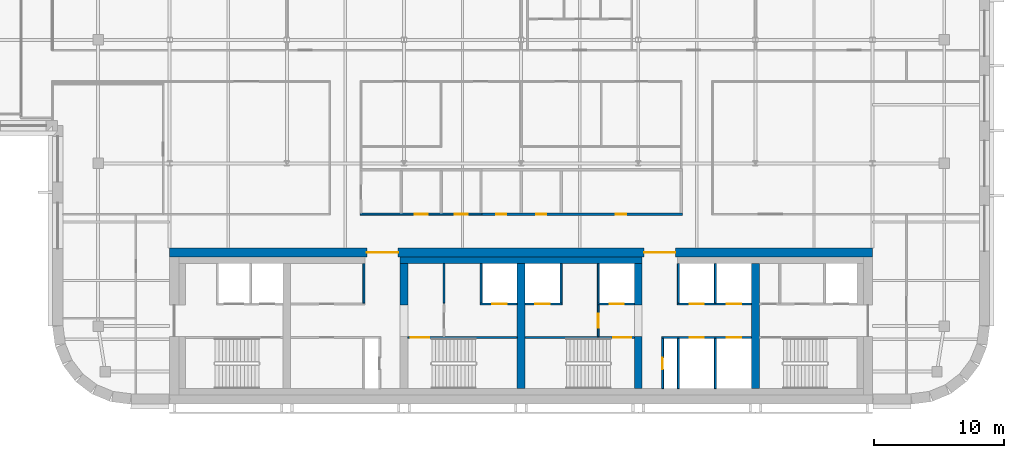
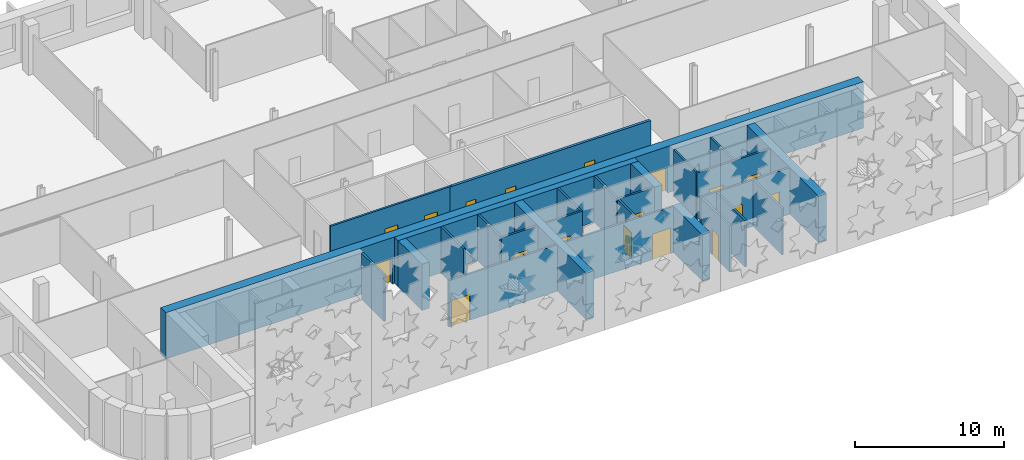
# One storey, part 8 of 17: 27 walls, 18 doors, 18 openings.
"""IFC4 building model written with IfcOpenShell, lengths in metres."""

from ifc_helpers import new_model, si_unit, direction, frame, frame_2d, origin, place, context, subcontext, project, spatial, rectangle, extrude, material, layer, layer_set, type_object, element, fill, save


model = new_model("IFC4")

# Units and contexts
model_context = context("Model", 3, precision=1e-05, world=origin(), true_north=direction((0.0, 1.0)))
body_context = subcontext(model_context, "Body", "Model", "MODEL_VIEW")
ifc_project = project(units=[si_unit("LENGTHUNIT", "METRE"), si_unit("AREAUNIT", "SQUARE_METRE"), si_unit("VOLUMEUNIT", "CUBIC_METRE"), si_unit("PLANEANGLEUNIT", "RADIAN"), si_unit("MASSUNIT", "GRAM", prefix="KILO")], contexts=[model_context])

# Site, building, storey
site_placement = place(None, origin())
site = spatial("IfcSite", under=ifc_project, at=site_placement, CompositionType="ELEMENT")
building_placement = place(site_placement, origin())
building = spatial("IfcBuilding", under=site, at=building_placement, Name="Zellij Exchange Tower", CompositionType="ELEMENT")
storey_placement = place(building_placement, frame((0.0, 0.0, 252.5)))
storey = spatial("IfcBuildingStorey", under=building, at=storey_placement, Name="L59", CompositionType="ELEMENT", Elevation=252.5)

# Walls
ifc_material_1 = material(Name="Concrete C50/60", Category="concrete")
ifc_layer_1 = layer(ifc_material_1, 0.60009765625)
ifc_layer_set_1 = layer_set([ifc_layer_1], Name="Concrete C50/60")
wall_type_1 = type_object("IfcWallType", Name="CORE-CW 600 C50/60", PredefinedType="SHEAR", material=ifc_layer_set_1)
wall_1_placement = place(storey_placement, frame((-9.0, -6.375, 0.0), z_axis=(0.0, 0.0, 1.0), x_axis=(0.0, 1.0, 0.0)))
element("IfcWall", 1, at=wall_1_placement, inside=storey, type_object=wall_type_1, Name="Core cross wall pier x -9 b L59", PredefinedType="SHEAR", context=body_context, shape_type="SweptSolid", body=[
    extrude(rectangle(XDim=3.175048828125, YDim=0.60009765625, at=frame_2d((1.58740234375, 0.0))), origin(), (0.0, 0.0, 1.0), 3.800048828125),
])
wall_2_placement = place(storey_placement, frame((0.0, -12.800048828125, 0.0), z_axis=(0.0, 0.0, 1.0), x_axis=(0.0, 1.0, 0.0)))
element("IfcWall", 2, at=wall_2_placement, inside=storey, type_object=wall_type_1, Name="Core cross wall x 0 L59", PredefinedType="SHEAR", context=body_context, shape_type="SweptSolid", body=[
    extrude(rectangle(XDim=9.60009765625, YDim=0.60009765625, at=frame_2d((4.800048828125, 0.0))), origin(), (0.0, 0.0, 1.0), 3.800048828125),
])
wall_3_placement = place(storey_placement, frame((9.0, -12.800048828125, 0.0), z_axis=(0.0, 0.0, 1.0), x_axis=(0.0, 1.0, 0.0)))
element("IfcWall", 3, at=wall_3_placement, inside=storey, type_object=wall_type_1, Name="Core cross wall pier x 9 a L59", PredefinedType="SHEAR", context=body_context, shape_type="SweptSolid", body=[
    extrude(rectangle(XDim=4.0, YDim=0.60009765625, at=frame_2d((2.0, 0.0))), origin(), (0.0, 0.0, 1.0), 3.800048828125),
])
wall_4_placement = place(storey_placement, frame((9.0, -6.375, 0.0), z_axis=(0.0, 0.0, 1.0), x_axis=(0.0, 1.0, 0.0)))
element("IfcWall", 4, at=wall_4_placement, inside=storey, type_object=wall_type_1, Name="Core cross wall pier x 9 b L59", PredefinedType="SHEAR", context=body_context, shape_type="SweptSolid", body=[
    extrude(rectangle(XDim=3.175048828125, YDim=0.60009765625, at=frame_2d((1.58740234375, 0.0))), origin(), (0.0, 0.0, 1.0), 3.800048828125),
])
wall_5_placement = place(storey_placement, frame((18.0, -12.800048828125, 0.0), z_axis=(0.0, 0.0, 1.0), x_axis=(0.0, 1.0, 0.0)))
element("IfcWall", 5, at=wall_5_placement, inside=storey, type_object=wall_type_1, Name="Core cross wall x 18 L59", PredefinedType="SHEAR", context=body_context, shape_type="SweptSolid", body=[
    extrude(rectangle(XDim=9.60009765625, YDim=0.60009765625, at=frame_2d((4.800048828125, 0.0))), origin(), (0.0, 0.0, 1.0), 3.800048828125),
])
ifc_material_2 = material(Name="Concrete C30/37", Category="concrete")
ifc_layer_2 = layer(ifc_material_2, 0.5)
ifc_layer_set_2 = layer_set([ifc_layer_2], Name="Concrete C30/37")
wall_type_2 = type_object("IfcWallType", Name="CORE-LW 500 C30/37", PredefinedType="SHEAR", material=ifc_layer_set_2)
wall_6_placement = place(storey_placement, frame((-9.300048828125, -2.949951171875, 0.0), z_axis=(0.0, 0.0, 1.0), x_axis=(1.0, 0.0, 0.0)))
element("IfcWall", 6, at=wall_6_placement, inside=storey, type_object=wall_type_2, Name="Core wall lining front.1 L59", PredefinedType="SHEAR", context=body_context, shape_type="SweptSolid", body=[
    extrude(rectangle(XDim=18.60009765625, YDim=0.5, at=frame_2d((9.300048828125, 0.0))), origin(), (0.0, 0.0, 1.0), 3.800048828125),
])

# Wall, opening, door
ifc_material_3 = material(Name="Gypsum shaft wall system")
ifc_layer_3 = layer(ifc_material_3, 0.14990234375)
ifc_layer_set_3 = layer_set([ifc_layer_3], Name="Gypsum shaft wall system")
wall_type_3 = type_object("IfcWallType", Name="CORE-PW 150 Firefighting lobby wall", PredefinedType="PARTITIONING", material=ifc_layer_set_3)
wall_7_placement = place(storey_placement, frame((5.925048828125, -8.800048828125, 0.0), z_axis=(0.0, 0.0, 1.0), x_axis=(0.0, 1.0, 0.0)))
wall_7 = element("IfcWall", 7, at=wall_7_placement, inside=storey, type_object=wall_type_3, Name="Firefighting lobby wall L59", PredefinedType="PARTITIONING", context=body_context, shape_type="SweptSolid", body=[
    extrude(rectangle(XDim=2.425048828125, YDim=0.14990234375, at=frame_2d((1.21240234375, 0.0))), origin(), (0.0, 0.0, 1.0), 3.800048828125),
])
opening_1_placement = place(wall_7_placement, frame((0.662109375, 0.0, 0.0)))
opening_1 = element("IfcOpeningElement", 8, at=opening_1_placement, cuts=wall_7, Name="Opening CA-30.13", PredefinedType="OPENING", context=body_context, shape_type="SweptSolid", body=[
    extrude(rectangle(XDim=1.10009765625, YDim=2.10009765625, at=frame_2d((0.550048828125, 1.050048828125))), frame((0.0, 0.0869140625, 0.0), z_axis=(0.0, -1.0, 0.0), x_axis=(1.0, 0.0, 0.0)), (0.0, 0.0, 1.0), 0.173828125),
])
ifc_material_4 = material(Name="Hollow metal fire door")
door_type_1 = type_object("IfcDoorType", Name="CORE-D F Firefighting lobby door 1100x2100 1 HR", OperationType="NOTDEFINED", PredefinedType="DOOR", material=ifc_material_4)
door_1_placement = place(opening_1_placement, origin())
door_1 = element("IfcDoor", 9, at=door_1_placement, inside=storey, type_object=door_type_1, Name="Firefighting lobby door CA-30.13", OperationType="SINGLE_SWING_RIGHT", OverallHeight=2.10009765625, OverallWidth=1.10009765625, PredefinedType="DOOR", context=body_context, shape_type="SweptSolid", body=[
    extrude(rectangle(XDim=1.10009765625, YDim=2.10009765625, at=frame_2d((0.550048828125, 1.050048828125))), frame((0.0, 0.02490234375, 0.0), z_axis=(0.0, -1.0, 0.0), x_axis=(1.0, 0.0, 0.0)), (0.0, 0.0, 1.0), 0.050048828125),
])
fill(opening_1, door_1)

# Walls
ifc_material_5 = material(Name="Gypsum board partition")
ifc_layer_4 = layer(ifc_material_5, 0.14990234375)
ifc_layer_set_4 = layer_set([ifc_layer_4], Name="Gypsum board partition")
wall_type_4 = type_object("IfcWallType", Name="CORE-PW 150 Lift lobby wall", PredefinedType="PARTITIONING", material=ifc_layer_set_4)
for number, where, z_axis, x_axis, name in (
    (10, (-12.074951171875, -6.22509765625, 0.0), (0.0, 0.0, 1.0), (0.0, 1.0, 0.0), "Lift lobby wall L59"),
    (11, (-5.925048828125, -6.22509765625, 0.0), (0.0, 0.0, 1.0), (0.0, 1.0, 0.0), "Lift lobby wall L59"),
):
    element("IfcWall", number, at=place(storey_placement, frame(where, z_axis=z_axis, x_axis=x_axis)), inside=storey, type_object=wall_type_4, Name=name, PredefinedType="PARTITIONING", context=body_context, shape_type="SweptSolid", body=[
        extrude(rectangle(XDim=3.025146484375, YDim=0.14990234375, at=frame_2d((1.5126953125, 0.0))), origin(), (0.0, 0.0, 1.0), 3.800048828125),
    ])

# Wall, opening, door
wall_8_placement = place(storey_placement, frame((10.875, -12.800048828125, 0.0), z_axis=(0.0, 0.0, 1.0), x_axis=(0.0, 1.0, 0.0)))
wall_8 = element("IfcWall", 12, at=wall_8_placement, inside=storey, type_object=wall_type_4, Name="Lift lobby wall L59", PredefinedType="PARTITIONING", context=body_context, shape_type="SweptSolid", body=[
    extrude(rectangle(XDim=3.85009765625, YDim=0.14990234375, at=frame_2d((1.925048828125, 0.0))), origin(), (0.0, 0.0, 1.0), 3.800048828125),
])
opening_2_placement = place(wall_8_placement, frame((1.47509765625, 0.0, 0.0)))
opening_2 = element("IfcOpeningElement", 13, at=opening_2_placement, cuts=wall_8, Name="Opening CA-30.17", PredefinedType="OPENING", context=body_context, shape_type="SweptSolid", body=[
    extrude(rectangle(XDim=0.89990234375, YDim=2.10009765625, at=frame_2d((0.449951171875, 1.050048828125))), frame((0.0, 0.0869140625, 0.0), z_axis=(0.0, -1.0, 0.0), x_axis=(1.0, 0.0, 0.0)), (0.0, 0.0, 1.0), 0.173828125),
])
door_type_2 = type_object("IfcDoorType", Name="CORE-D RD Riser door 900x2100 1.5 HR", OperationType="NOTDEFINED", PredefinedType="DOOR", material=ifc_material_4)
door_2_placement = place(opening_2_placement, origin())
door_2 = element("IfcDoor", 14, at=door_2_placement, inside=storey, type_object=door_type_2, Name="Riser door CA-30.17", OperationType="SINGLE_SWING_LEFT", OverallHeight=2.10009765625, OverallWidth=0.89990234375, PredefinedType="DOOR", context=body_context, shape_type="SweptSolid", body=[
    extrude(rectangle(XDim=0.89990234375, YDim=2.10009765625, at=frame_2d((0.449951171875, 1.050048828125))), frame((0.0, 0.02490234375, 0.0), z_axis=(0.0, -1.0, 0.0), x_axis=(1.0, 0.0, 0.0)), (0.0, 0.0, 1.0), 0.050048828125),
])
fill(opening_2, door_2)

# Walls
ifc_layer_5 = layer(ifc_material_3, 0.14990234375)
ifc_layer_set_5 = layer_set([ifc_layer_5], Name="Gypsum shaft wall system")
wall_type_5 = type_object("IfcWallType", Name="CORE-PW 150 Lift shaft wall", PredefinedType="PARTITIONING", material=ifc_layer_set_5)
for number, where, z_axis, x_axis, name in (
    (15, (-3.074951171875, -6.22509765625, 0.0), (0.0, 0.0, 1.0), (0.0, 1.0, 0.0), "Lift shaft wall L59"),
    (16, (3.074951171875, -6.22509765625, 0.0), (0.0, 0.0, 1.0), (0.0, 1.0, 0.0), "Lift shaft wall L59"),
    (17, (5.925048828125, -6.22509765625, 0.0), (0.0, 0.0, 1.0), (0.0, 1.0, 0.0), "Lift shaft wall L59"),
    (18, (12.074951171875, -6.22509765625, 0.0), (0.0, 0.0, 1.0), (0.0, 1.0, 0.0), "Lift shaft wall L59"),
    (19, (14.925048828125, -6.22509765625, 0.0), (0.0, 0.0, 1.0), (0.0, 1.0, 0.0), "Lift shaft wall L59"),
):
    element("IfcWall", number, at=place(storey_placement, frame(where, z_axis=z_axis, x_axis=x_axis)), inside=storey, type_object=wall_type_5, Name=name, PredefinedType="PARTITIONING", context=body_context, shape_type="SweptSolid", body=[
        extrude(rectangle(XDim=3.025146484375, YDim=0.14990234375, at=frame_2d((1.5126953125, 0.0))), origin(), (0.0, 0.0, 1.0), 3.800048828125),
    ])
for number, where, z_axis, x_axis, name in (
    (20, (12.074951171875, -12.800048828125, 0.0), (0.0, 0.0, 1.0), (0.0, 1.0, 0.0), "Lift shaft wall L59"),
    (21, (14.925048828125, -12.800048828125, 0.0), (0.0, 0.0, 1.0), (0.0, 1.0, 0.0), "Lift shaft wall L59"),
):
    element("IfcWall", number, at=place(storey_placement, frame(where, z_axis=z_axis, x_axis=x_axis)), inside=storey, type_object=wall_type_5, Name=name, PredefinedType="PARTITIONING", context=body_context, shape_type="SweptSolid", body=[
        extrude(rectangle(XDim=3.85009765625, YDim=0.14990234375, at=frame_2d((1.925048828125, 0.0))), origin(), (0.0, 0.0, 1.0), 3.800048828125),
    ])

# Wall, opening, door
wall_9_placement = place(storey_placement, frame((-3.14990234375, -6.300048828125, 0.0), z_axis=(0.0, 0.0, 1.0), x_axis=(1.0, 0.0, 0.0)))
wall_9 = element("IfcWall", 22, at=wall_9_placement, inside=storey, type_object=wall_type_5, Name="Lift shaft wall L59", PredefinedType="PARTITIONING", context=body_context, shape_type="SweptSolid", body=[
    extrude(rectangle(XDim=2.849853515625, YDim=0.14990234375, at=frame_2d((1.4248046875, 0.0))), origin(), (0.0, 0.0, 1.0), 3.800048828125),
])
opening_3_placement = place(wall_9_placement, frame((0.949951171875, 0.0, 0.0)))
opening_3 = element("IfcOpeningElement", 23, at=opening_3_placement, cuts=wall_9, Name="Opening CA-30.11", PredefinedType="OPENING", context=body_context, shape_type="SweptSolid", body=[
    extrude(rectangle(XDim=1.10009765625, YDim=2.10009765625, at=frame_2d((0.550048828125, 1.050048828125))), frame((0.0, 0.0869140625, 0.0), z_axis=(0.0, -1.0, 0.0), x_axis=(1.0, 0.0, 0.0)), (0.0, 0.0, 1.0), 0.173828125),
])
door_type_3 = type_object("IfcDoorType", Name="CORE-D LD Lift landing door 1100x2100 1.5 HR", OperationType="NOTDEFINED", PredefinedType="DOOR", material=ifc_material_4)
door_3_placement = place(opening_3_placement, origin())
door_3 = element("IfcDoor", 24, at=door_3_placement, inside=storey, type_object=door_type_3, Name="Lift landing door CA-30.11", OperationType="SLIDING_TO_LEFT", OverallHeight=2.10009765625, OverallWidth=1.10009765625, PredefinedType="DOOR", context=body_context, shape_type="SweptSolid", body=[
    extrude(rectangle(XDim=1.10009765625, YDim=2.10009765625, at=frame_2d((0.550048828125, 1.050048828125))), frame((0.0, 0.02490234375, 0.0), z_axis=(0.0, -1.0, 0.0), x_axis=(1.0, 0.0, 0.0)), (0.0, 0.0, 1.0), 0.050048828125),
])
fill(opening_3, door_3)

wall_10_placement = place(storey_placement, frame((0.300048828125, -6.300048828125, 0.0), z_axis=(0.0, 0.0, 1.0), x_axis=(1.0, 0.0, 0.0)))
wall_10 = element("IfcWall", 25, at=wall_10_placement, inside=storey, type_object=wall_type_5, Name="Lift shaft wall L59", PredefinedType="PARTITIONING", context=body_context, shape_type="SweptSolid", body=[
    extrude(rectangle(XDim=2.849853515625, YDim=0.14990234375, at=frame_2d((1.4248046875, 0.0))), origin(), (0.0, 0.0, 1.0), 3.800048828125),
])
opening_4_placement = place(wall_10_placement, frame((0.800048828125, 0.0, 0.0)))
opening_4 = element("IfcOpeningElement", 26, at=opening_4_placement, cuts=wall_10, Name="Opening CA-30.12", PredefinedType="OPENING", context=body_context, shape_type="SweptSolid", body=[
    extrude(rectangle(XDim=1.10009765625, YDim=2.10009765625, at=frame_2d((0.550048828125, 1.050048828125))), frame((0.0, 0.0869140625, 0.0), z_axis=(0.0, -1.0, 0.0), x_axis=(1.0, 0.0, 0.0)), (0.0, 0.0, 1.0), 0.173828125),
])
door_4_placement = place(opening_4_placement, origin())
door_4 = element("IfcDoor", 27, at=door_4_placement, inside=storey, type_object=door_type_3, Name="Lift landing door CA-30.12", OperationType="SLIDING_TO_RIGHT", OverallHeight=2.10009765625, OverallWidth=1.10009765625, PredefinedType="DOOR", context=body_context, shape_type="SweptSolid", body=[
    extrude(rectangle(XDim=1.10009765625, YDim=2.10009765625, at=frame_2d((0.550048828125, 1.050048828125))), frame((0.0, 0.02490234375, 0.0), z_axis=(0.0, -1.0, 0.0), x_axis=(1.0, 0.0, 0.0)), (0.0, 0.0, 1.0), 0.050048828125),
])
fill(opening_4, door_4)

wall_11_placement = place(storey_placement, frame((5.85009765625, -6.300048828125, 0.0), z_axis=(0.0, 0.0, 1.0), x_axis=(1.0, 0.0, 0.0)))
wall_11 = element("IfcWall", 28, at=wall_11_placement, inside=storey, type_object=wall_type_5, Name="Lift shaft wall L59", PredefinedType="PARTITIONING", context=body_context, shape_type="SweptSolid", body=[
    extrude(rectangle(XDim=2.849853515625, YDim=0.14990234375, at=frame_2d((1.4248046875, 0.0))), origin(), (0.0, 0.0, 1.0), 3.800048828125),
])
opening_5_placement = place(wall_11_placement, frame((0.949951171875, 0.0, 0.0)))
opening_5 = element("IfcOpeningElement", 29, at=opening_5_placement, cuts=wall_11, Name="Opening CA-30.14", PredefinedType="OPENING", context=body_context, shape_type="SweptSolid", body=[
    extrude(rectangle(XDim=1.10009765625, YDim=2.10009765625, at=frame_2d((0.550048828125, 1.050048828125))), frame((0.0, 0.0869140625, 0.0), z_axis=(0.0, -1.0, 0.0), x_axis=(1.0, 0.0, 0.0)), (0.0, 0.0, 1.0), 0.173828125),
])
door_5_placement = place(opening_5_placement, origin())
door_5 = element("IfcDoor", 30, at=door_5_placement, inside=storey, type_object=door_type_3, Name="Lift landing door CA-30.14", OperationType="SLIDING_TO_RIGHT", OverallHeight=2.10009765625, OverallWidth=1.10009765625, PredefinedType="DOOR", context=body_context, shape_type="SweptSolid", body=[
    extrude(rectangle(XDim=1.10009765625, YDim=2.10009765625, at=frame_2d((0.550048828125, 1.050048828125))), frame((0.0, 0.02490234375, 0.0), z_axis=(0.0, -1.0, 0.0), x_axis=(1.0, 0.0, 0.0)), (0.0, 0.0, 1.0), 0.050048828125),
])
fill(opening_5, door_5)

# Wall, openings, doors
wall_12_placement = place(storey_placement, frame((12.0, -6.300048828125, 0.0), z_axis=(0.0, 0.0, 1.0), x_axis=(1.0, 0.0, 0.0)))
wall_12 = element("IfcWall", 31, at=wall_12_placement, inside=storey, type_object=wall_type_5, Name="Lift shaft wall L59", PredefinedType="PARTITIONING", context=body_context, shape_type="SweptSolid", body=[
    extrude(rectangle(XDim=5.699951171875, YDim=0.14990234375, at=frame_2d((2.85009765625, 0.0))), origin(), (0.0, 0.0, 1.0), 3.800048828125),
])
opening_6_placement = place(wall_12_placement, frame((0.949951171875, 0.0, 0.0)))
opening_6 = element("IfcOpeningElement", 32, at=opening_6_placement, cuts=wall_12, Name="Opening CA-30.19", PredefinedType="OPENING", context=body_context, shape_type="SweptSolid", body=[
    extrude(rectangle(XDim=1.10009765625, YDim=2.10009765625, at=frame_2d((0.550048828125, 1.050048828125))), frame((0.0, 0.0869140625, 0.0), z_axis=(0.0, -1.0, 0.0), x_axis=(1.0, 0.0, 0.0)), (0.0, 0.0, 1.0), 0.173828125),
])
opening_7_placement = place(wall_12_placement, frame((3.800048828125, 0.0, 0.0)))
opening_7 = element("IfcOpeningElement", 33, at=opening_7_placement, cuts=wall_12, Name="Opening CA-30.21", PredefinedType="OPENING", context=body_context, shape_type="SweptSolid", body=[
    extrude(rectangle(XDim=1.10009765625, YDim=2.10009765625, at=frame_2d((0.550048828125, 1.050048828125))), frame((0.0, 0.0869140625, 0.0), z_axis=(0.0, -1.0, 0.0), x_axis=(1.0, 0.0, 0.0)), (0.0, 0.0, 1.0), 0.173828125),
])
door_6_placement = place(opening_6_placement, origin())
door_6 = element("IfcDoor", 34, at=door_6_placement, inside=storey, type_object=door_type_3, Name="Lift landing door CA-30.19", OperationType="SLIDING_TO_LEFT", OverallHeight=2.10009765625, OverallWidth=1.10009765625, PredefinedType="DOOR", context=body_context, shape_type="SweptSolid", body=[
    extrude(rectangle(XDim=1.10009765625, YDim=2.10009765625, at=frame_2d((0.550048828125, 1.050048828125))), frame((0.0, 0.02490234375, 0.0), z_axis=(0.0, -1.0, 0.0), x_axis=(1.0, 0.0, 0.0)), (0.0, 0.0, 1.0), 0.050048828125),
])
fill(opening_6, door_6)
door_7_placement = place(opening_7_placement, origin())
door_7 = element("IfcDoor", 35, at=door_7_placement, inside=storey, type_object=door_type_3, Name="Lift landing door CA-30.21", OperationType="SLIDING_TO_LEFT", OverallHeight=2.10009765625, OverallWidth=1.10009765625, PredefinedType="DOOR", context=body_context, shape_type="SweptSolid", body=[
    extrude(rectangle(XDim=1.10009765625, YDim=2.10009765625, at=frame_2d((0.550048828125, 1.050048828125))), frame((0.0, 0.02490234375, 0.0), z_axis=(0.0, -1.0, 0.0), x_axis=(1.0, 0.0, 0.0)), (0.0, 0.0, 1.0), 0.050048828125),
])
fill(opening_7, door_7)

wall_13_placement = place(storey_placement, frame((10.800048828125, -8.875, 0.0), z_axis=(0.0, 0.0, 1.0), x_axis=(1.0, 0.0, 0.0)))
wall_13 = element("IfcWall", 36, at=wall_13_placement, inside=storey, type_object=wall_type_5, Name="Lift shaft wall L59", PredefinedType="PARTITIONING", context=body_context, shape_type="SweptSolid", body=[
    extrude(rectangle(XDim=6.89990234375, YDim=0.14990234375, at=frame_2d((3.449951171875, 0.0))), origin(), (0.0, 0.0, 1.0), 3.800048828125),
])
opening_8_placement = place(wall_13_placement, frame((2.14990234375, 0.0, 0.0)))
opening_8 = element("IfcOpeningElement", 37, at=opening_8_placement, cuts=wall_13, Name="Opening CA-30.18", PredefinedType="OPENING", context=body_context, shape_type="SweptSolid", body=[
    extrude(rectangle(XDim=1.10009765625, YDim=2.10009765625, at=frame_2d((0.550048828125, 1.050048828125))), frame((0.0, 0.0869140625, 0.0), z_axis=(0.0, -1.0, 0.0), x_axis=(1.0, 0.0, 0.0)), (0.0, 0.0, 1.0), 0.173828125),
])
opening_9_placement = place(wall_13_placement, frame((5.0, 0.0, 0.0)))
opening_9 = element("IfcOpeningElement", 38, at=opening_9_placement, cuts=wall_13, Name="Opening CA-30.20", PredefinedType="OPENING", context=body_context, shape_type="SweptSolid", body=[
    extrude(rectangle(XDim=1.10009765625, YDim=2.10009765625, at=frame_2d((0.550048828125, 1.050048828125))), frame((0.0, 0.0869140625, 0.0), z_axis=(0.0, -1.0, 0.0), x_axis=(1.0, 0.0, 0.0)), (0.0, 0.0, 1.0), 0.173828125),
])
door_8_placement = place(opening_8_placement, origin())
door_8 = element("IfcDoor", 39, at=door_8_placement, inside=storey, type_object=door_type_3, Name="Lift landing door CA-30.18", OperationType="SLIDING_TO_RIGHT", OverallHeight=2.10009765625, OverallWidth=1.10009765625, PredefinedType="DOOR", context=body_context, shape_type="SweptSolid", body=[
    extrude(rectangle(XDim=1.10009765625, YDim=2.10009765625, at=frame_2d((0.550048828125, 1.050048828125))), frame((0.0, 0.02490234375, 0.0), z_axis=(0.0, -1.0, 0.0), x_axis=(1.0, 0.0, 0.0)), (0.0, 0.0, 1.0), 0.050048828125),
])
fill(opening_8, door_8)
door_9_placement = place(opening_9_placement, origin())
door_9 = element("IfcDoor", 40, at=door_9_placement, inside=storey, type_object=door_type_3, Name="Lift landing door CA-30.20", OperationType="SLIDING_TO_RIGHT", OverallHeight=2.10009765625, OverallWidth=1.10009765625, PredefinedType="DOOR", context=body_context, shape_type="SweptSolid", body=[
    extrude(rectangle(XDim=1.10009765625, YDim=2.10009765625, at=frame_2d((0.550048828125, 1.050048828125))), frame((0.0, 0.02490234375, 0.0), z_axis=(0.0, -1.0, 0.0), x_axis=(1.0, 0.0, 0.0)), (0.0, 0.0, 1.0), 0.050048828125),
])
fill(opening_9, door_9)

ifc_layer_6 = layer(ifc_material_1, 0.699951171875)
ifc_layer_set_6 = layer_set([ifc_layer_6], Name="Concrete C50/60")
wall_type_6 = type_object("IfcWallType", Name="CORE-SW 700 C50/60", PredefinedType="SHEAR", material=ifc_layer_set_6)
wall_14_placement = place(storey_placement, frame((-27.0, -2.35009765625, 0.0), z_axis=(0.0, 0.0, 1.0), x_axis=(1.0, 0.0, 0.0)))
wall_14 = element("IfcWall", 41, at=wall_14_placement, inside=storey, type_object=wall_type_6, Name="Core shear wall front L59", PredefinedType="SHEAR", context=body_context, shape_type="SweptSolid", body=[
    extrude(rectangle(XDim=54.0, YDim=0.699951171875, at=frame_2d((27.0, 0.0))), origin(), (0.0, 0.0, 1.0), 3.800048828125),
])
opening_10_placement = place(wall_14_placement, frame((15.14990234375, 0.0, 0.0)))
opening_10 = element("IfcOpeningElement", 42, at=opening_10_placement, cuts=wall_14, Name="Opening CA-30.08", PredefinedType="OPENING", context=body_context, shape_type="SweptSolid", body=[
    extrude(rectangle(XDim=2.39990234375, YDim=2.10009765625, at=frame_2d((1.199951171875, 1.050048828125))), frame((0.0, 0.36181640625, 0.0), z_axis=(0.0, -1.0, 0.0), x_axis=(1.0, 0.0, 0.0)), (0.0, 0.0, 1.0), 0.723876953125),
])
opening_11_placement = place(wall_14_placement, frame((36.449951171875, 0.0, 0.0)))
opening_11 = element("IfcOpeningElement", 43, at=opening_11_placement, cuts=wall_14, Name="Opening CA-30.16", PredefinedType="OPENING", context=body_context, shape_type="SweptSolid", body=[
    extrude(rectangle(XDim=2.39990234375, YDim=2.10009765625, at=frame_2d((1.199951171875, 1.050048828125))), frame((0.0, 0.36181640625, 0.0), z_axis=(0.0, -1.0, 0.0), x_axis=(1.0, 0.0, 0.0)), (0.0, 0.0, 1.0), 0.723876953125),
])
door_type_4 = type_object("IfcDoorType", Name="CORE-D CE Core entrance door 2400x2100 20 MIN", OperationType="NOTDEFINED", PredefinedType="DOOR", material=ifc_material_4)
door_10_placement = place(opening_10_placement, origin())
door_10 = element("IfcDoor", 44, at=door_10_placement, inside=storey, type_object=door_type_4, Name="Core entrance door CA-30.08", OperationType="DOUBLE_DOOR_SINGLE_SWING", OverallHeight=2.10009765625, OverallWidth=2.39990234375, PredefinedType="DOOR", context=body_context, shape_type="SweptSolid", body=[
    extrude(rectangle(XDim=2.39990234375, YDim=2.10009765625, at=frame_2d((1.199951171875, 1.050048828125))), frame((0.0, 0.02490234375, 0.0), z_axis=(0.0, -1.0, 0.0), x_axis=(1.0, 0.0, 0.0)), (0.0, 0.0, 1.0), 0.050048828125),
])
fill(opening_10, door_10)
door_11_placement = place(opening_11_placement, origin())
door_11 = element("IfcDoor", 45, at=door_11_placement, inside=storey, type_object=door_type_4, Name="Core entrance door CA-30.16", OperationType="DOUBLE_DOOR_SINGLE_SWING", OverallHeight=2.10009765625, OverallWidth=2.39990234375, PredefinedType="DOOR", context=body_context, shape_type="SweptSolid", body=[
    extrude(rectangle(XDim=2.39990234375, YDim=2.10009765625, at=frame_2d((1.199951171875, 1.050048828125))), frame((0.0, 0.02490234375, 0.0), z_axis=(0.0, -1.0, 0.0), x_axis=(1.0, 0.0, 0.0)), (0.0, 0.0, 1.0), 0.050048828125),
])
fill(opening_11, door_11)

# Wall, opening, door
ifc_layer_7 = layer(ifc_material_1, 0.14990234375)
ifc_layer_set_7 = layer_set([ifc_layer_7], Name="Concrete C50/60")
wall_type_7 = type_object("IfcWallType", Name="CORE-SWS 150 C50/60", PredefinedType="SHEAR", material=ifc_layer_set_7)
wall_15_placement = place(storey_placement, frame((-8.699951171875, -8.875, 0.0), z_axis=(0.0, 0.0, 1.0), x_axis=(1.0, 0.0, 0.0)))
wall_15 = element("IfcWall", 46, at=wall_15_placement, inside=storey, type_object=wall_type_7, Name="Stair enclosure wall L59", PredefinedType="SHEAR", context=body_context, shape_type="SweptSolid", body=[
    extrude(rectangle(XDim=8.39990234375, YDim=0.14990234375, at=frame_2d((4.199951171875, 0.0))), origin(), (0.0, 0.0, 1.0), 3.800048828125),
])
opening_12_placement = place(wall_15_placement, frame((0.22509765625, 0.0, 0.0)))
opening_12 = element("IfcOpeningElement", 47, at=opening_12_placement, cuts=wall_15, Name="Opening CA-30.09", PredefinedType="OPENING", context=body_context, shape_type="SweptSolid", body=[
    extrude(rectangle(XDim=1.39990234375, YDim=2.10009765625, at=frame_2d((0.699951171875, 1.050048828125))), frame((0.0, 0.0869140625, 0.0), z_axis=(0.0, -1.0, 0.0), x_axis=(1.0, 0.0, 0.0)), (0.0, 0.0, 1.0), 0.173828125),
])
door_type_5 = type_object("IfcDoorType", Name="CORE-D SD Stair door 1400x2100 1.5 HR", OperationType="NOTDEFINED", PredefinedType="DOOR", material=ifc_material_4)
door_12_placement = place(opening_12_placement, origin())
door_12 = element("IfcDoor", 48, at=door_12_placement, inside=storey, type_object=door_type_5, Name="Stair door CA-30.09", OperationType="DOUBLE_DOOR_SINGLE_SWING", OverallHeight=2.10009765625, OverallWidth=1.39990234375, PredefinedType="DOOR", context=body_context, shape_type="SweptSolid", body=[
    extrude(rectangle(XDim=1.39990234375, YDim=2.10009765625, at=frame_2d((0.699951171875, 1.050048828125))), frame((0.0, 0.02490234375, 0.0), z_axis=(0.0, -1.0, 0.0), x_axis=(1.0, 0.0, 0.0)), (0.0, 0.0, 1.0), 0.050048828125),
])
fill(opening_12, door_12)

wall_16_placement = place(storey_placement, frame((0.300048828125, -8.875, 0.0), z_axis=(0.0, 0.0, 1.0), x_axis=(1.0, 0.0, 0.0)))
wall_16 = element("IfcWall", 49, at=wall_16_placement, inside=storey, type_object=wall_type_7, Name="Stair enclosure wall L59", PredefinedType="SHEAR", context=body_context, shape_type="SweptSolid", body=[
    extrude(rectangle(XDim=8.39990234375, YDim=0.14990234375, at=frame_2d((4.199951171875, 0.0))), origin(), (0.0, 0.0, 1.0), 3.800048828125),
])
opening_13_placement = place(wall_16_placement, frame((6.77490234375, 0.0, 0.0)))
opening_13 = element("IfcOpeningElement", 50, at=opening_13_placement, cuts=wall_16, Name="Opening CA-30.15", PredefinedType="OPENING", context=body_context, shape_type="SweptSolid", body=[
    extrude(rectangle(XDim=1.39990234375, YDim=2.10009765625, at=frame_2d((0.699951171875, 1.050048828125))), frame((0.0, 0.0869140625, 0.0), z_axis=(0.0, -1.0, 0.0), x_axis=(1.0, 0.0, 0.0)), (0.0, 0.0, 1.0), 0.173828125),
])
door_13_placement = place(opening_13_placement, origin())
door_13 = element("IfcDoor", 51, at=door_13_placement, inside=storey, type_object=door_type_5, Name="Stair door CA-30.15", OperationType="DOUBLE_DOOR_SINGLE_SWING", OverallHeight=2.10009765625, OverallWidth=1.39990234375, PredefinedType="DOOR", context=body_context, shape_type="SweptSolid", body=[
    extrude(rectangle(XDim=1.39990234375, YDim=2.10009765625, at=frame_2d((0.699951171875, 1.050048828125))), frame((0.0, 0.02490234375, 0.0), z_axis=(0.0, -1.0, 0.0), x_axis=(1.0, 0.0, 0.0)), (0.0, 0.0, 1.0), 0.050048828125),
])
fill(opening_13, door_13)

# Wall, openings, doors
ifc_material_6 = material(Name="Blockwork partition", Category="masonry")
ifc_layer_8 = layer(ifc_material_6, 0.199951171875)
ifc_layer_set_8 = layer_set([ifc_layer_8], Name="Blockwork partition")
wall_type_8 = type_object("IfcWallType", Name="FIT-BLOCKWORK-200", PredefinedType="PARTITIONING", material=ifc_layer_set_8)
wall_17_placement = place(storey_placement, frame((-3.155029296875, 0.60009765625, 0.0), z_axis=(0.0, 0.0, 1.0), x_axis=(1.0, 0.0, 0.0)))
wall_17 = element("IfcWall", 52, at=wall_17_placement, inside=storey, type_object=wall_type_8, Name="FIT-BLOCKWORK-200 011", PredefinedType="PARTITIONING", context=body_context, shape_type="SweptSolid", body=[
    extrude(rectangle(XDim=15.554931640625, YDim=0.199951171875, at=frame_2d((7.77734375, 0.0))), origin(), (0.0, 0.0, 1.0), 3.800048828125),
])
opening_14_placement = place(wall_17_placement, frame((1.22998046875, 0.0, 0.0)))
opening_14 = element("IfcOpeningElement", 53, at=opening_14_placement, cuts=wall_17, Name="Opening O4D.05", PredefinedType="OPENING", context=body_context, shape_type="SweptSolid", body=[
    extrude(rectangle(XDim=0.800048828125, YDim=2.10009765625, at=frame_2d((0.39990234375, 1.050048828125))), frame((0.0, 0.11181640625, 0.0), z_axis=(0.0, -1.0, 0.0), x_axis=(1.0, 0.0, 0.0)), (0.0, 0.0, 1.0), 0.223876953125),
])
opening_15_placement = place(wall_17_placement, frame((4.304931640625, 0.0, 0.0)))
opening_15 = element("IfcOpeningElement", 54, at=opening_15_placement, cuts=wall_17, Name="Opening O4D.06", PredefinedType="OPENING", context=body_context, shape_type="SweptSolid", body=[
    extrude(rectangle(XDim=0.800048828125, YDim=2.10009765625, at=frame_2d((0.39990234375, 1.050048828125))), frame((0.0, 0.11181640625, 0.0), z_axis=(0.0, -1.0, 0.0), x_axis=(1.0, 0.0, 0.0)), (0.0, 0.0, 1.0), 0.223876953125),
])
opening_16_placement = place(wall_17_placement, frame((10.429931640625, 0.0, 0.0)))
opening_16 = element("IfcOpeningElement", 55, at=opening_16_placement, cuts=wall_17, Name="Opening O4D.07", PredefinedType="OPENING", context=body_context, shape_type="SweptSolid", body=[
    extrude(rectangle(XDim=0.800048828125, YDim=2.10009765625, at=frame_2d((0.39990234375, 1.050048828125))), frame((0.0, 0.11181640625, 0.0), z_axis=(0.0, -1.0, 0.0), x_axis=(1.0, 0.0, 0.0)), (0.0, 0.0, 1.0), 0.223876953125),
])
ifc_material_7 = material(Name="Timber door set", Category="wood")
door_type_6 = type_object("IfcDoorType", Name="FIT-D6-SERVICE-800X2100", OperationType="SINGLE_SWING_LEFT", PredefinedType="DOOR", material=ifc_material_7)
door_14_placement = place(opening_14_placement, origin())
door_14 = element("IfcDoor", 56, at=door_14_placement, inside=storey, type_object=door_type_6, Name="Door O4D.05", OperationType="SINGLE_SWING_LEFT", OverallHeight=2.10009765625, OverallWidth=0.800048828125, PredefinedType="DOOR", context=body_context, shape_type="SweptSolid", body=[
    extrude(rectangle(XDim=0.800048828125, YDim=2.10009765625, at=frame_2d((0.39990234375, 1.050048828125))), frame((0.0, 0.02490234375, 0.0), z_axis=(0.0, -1.0, 0.0), x_axis=(1.0, 0.0, 0.0)), (0.0, 0.0, 1.0), 0.050048828125),
])
fill(opening_14, door_14)
door_15_placement = place(opening_15_placement, origin())
door_15 = element("IfcDoor", 57, at=door_15_placement, inside=storey, type_object=door_type_6, Name="Door O4D.06", OperationType="SINGLE_SWING_LEFT", OverallHeight=2.10009765625, OverallWidth=0.800048828125, PredefinedType="DOOR", context=body_context, shape_type="SweptSolid", body=[
    extrude(rectangle(XDim=0.800048828125, YDim=2.10009765625, at=frame_2d((0.39990234375, 1.050048828125))), frame((0.0, 0.02490234375, 0.0), z_axis=(0.0, -1.0, 0.0), x_axis=(1.0, 0.0, 0.0)), (0.0, 0.0, 1.0), 0.050048828125),
])
fill(opening_15, door_15)
door_16_placement = place(opening_16_placement, origin())
door_16 = element("IfcDoor", 58, at=door_16_placement, inside=storey, type_object=door_type_6, Name="Door O4D.07", OperationType="SINGLE_SWING_RIGHT", OverallHeight=2.10009765625, OverallWidth=0.800048828125, PredefinedType="DOOR", context=body_context, shape_type="SweptSolid", body=[
    extrude(rectangle(XDim=0.800048828125, YDim=2.10009765625, at=frame_2d((0.39990234375, 1.050048828125))), frame((0.0, 0.02490234375, 0.0), z_axis=(0.0, -1.0, 0.0), x_axis=(1.0, 0.0, 0.0)), (0.0, 0.0, 1.0), 0.050048828125),
])
fill(opening_16, door_16)

ifc_material_8 = material(Name="Gypsum board shaft-wall partition", Category="gypsum")
ifc_layer_9 = layer(ifc_material_8, 0.14990234375)
ifc_layer_set_9 = layer_set([ifc_layer_9], Name="Gypsum board shaft-wall partition")
wall_type_9 = type_object("IfcWallType", Name="FIT-PARTITION-150-EI60", PredefinedType="PARTITIONING", material=ifc_layer_set_9)
wall_18_placement = place(storey_placement, frame((-12.375, 0.60009765625, 0.0), z_axis=(0.0, 0.0, 1.0), x_axis=(1.0, 0.0, 0.0)))
wall_18 = element("IfcWall", 59, at=wall_18_placement, inside=storey, type_object=wall_type_9, Name="FIT-PARTITION-150-EI60 007", PredefinedType="PARTITIONING", context=body_context, shape_type="SweptSolid", body=[
    extrude(rectangle(XDim=9.3701171875, YDim=0.14990234375, at=frame_2d((4.68505859375, 0.0))), origin(), (0.0, 0.0, 1.0), 3.800048828125),
])
opening_17_placement = place(wall_18_placement, frame((4.199951171875, 0.0, 0.0)))
opening_17 = element("IfcOpeningElement", 60, at=opening_17_placement, cuts=wall_18, Name="Opening O4D.03", PredefinedType="OPENING", context=body_context, shape_type="SweptSolid", body=[
    extrude(rectangle(XDim=1.0, YDim=2.10009765625, at=frame_2d((0.5, 1.050048828125))), frame((0.0, 0.0869140625, 0.0), z_axis=(0.0, -1.0, 0.0), x_axis=(1.0, 0.0, 0.0)), (0.0, 0.0, 1.0), 0.173828125),
])
opening_18_placement = place(wall_18_placement, frame((7.27490234375, 0.0, 0.0)))
opening_18 = element("IfcOpeningElement", 61, at=opening_18_placement, cuts=wall_18, Name="Opening O4D.04", PredefinedType="OPENING", context=body_context, shape_type="SweptSolid", body=[
    extrude(rectangle(XDim=1.0, YDim=2.10009765625, at=frame_2d((0.5, 1.050048828125))), frame((0.0, 0.0869140625, 0.0), z_axis=(0.0, -1.0, 0.0), x_axis=(1.0, 0.0, 0.0)), (0.0, 0.0, 1.0), 0.173828125),
])
ifc_material_9 = material(Name="Steel fire door set", Category="steel")
door_type_7 = type_object("IfcDoorType", Name="FIT-D4-FIRE-1000X2100", OperationType="SINGLE_SWING_LEFT", PredefinedType="DOOR", material=ifc_material_9)
door_17_placement = place(opening_17_placement, origin())
door_17 = element("IfcDoor", 62, at=door_17_placement, inside=storey, type_object=door_type_7, Name="Door O4D.03", OperationType="SINGLE_SWING_RIGHT", OverallHeight=2.10009765625, OverallWidth=1.0, PredefinedType="DOOR", context=body_context, shape_type="SweptSolid", body=[
    extrude(rectangle(XDim=1.0, YDim=2.10009765625, at=frame_2d((0.5, 1.050048828125))), frame((0.0, 0.02490234375, 0.0), z_axis=(0.0, -1.0, 0.0), x_axis=(1.0, 0.0, 0.0)), (0.0, 0.0, 1.0), 0.050048828125),
])
fill(opening_17, door_17)
door_18_placement = place(opening_18_placement, origin())
door_18 = element("IfcDoor", 63, at=door_18_placement, inside=storey, type_object=door_type_7, Name="Door O4D.04", OperationType="SINGLE_SWING_RIGHT", OverallHeight=2.10009765625, OverallWidth=1.0, PredefinedType="DOOR", context=body_context, shape_type="SweptSolid", body=[
    extrude(rectangle(XDim=1.0, YDim=2.10009765625, at=frame_2d((0.5, 1.050048828125))), frame((0.0, 0.02490234375, 0.0), z_axis=(0.0, -1.0, 0.0), x_axis=(1.0, 0.0, 0.0)), (0.0, 0.0, 1.0), 0.050048828125),
])
fill(opening_18, door_18)

save(model, "model.ifc")
